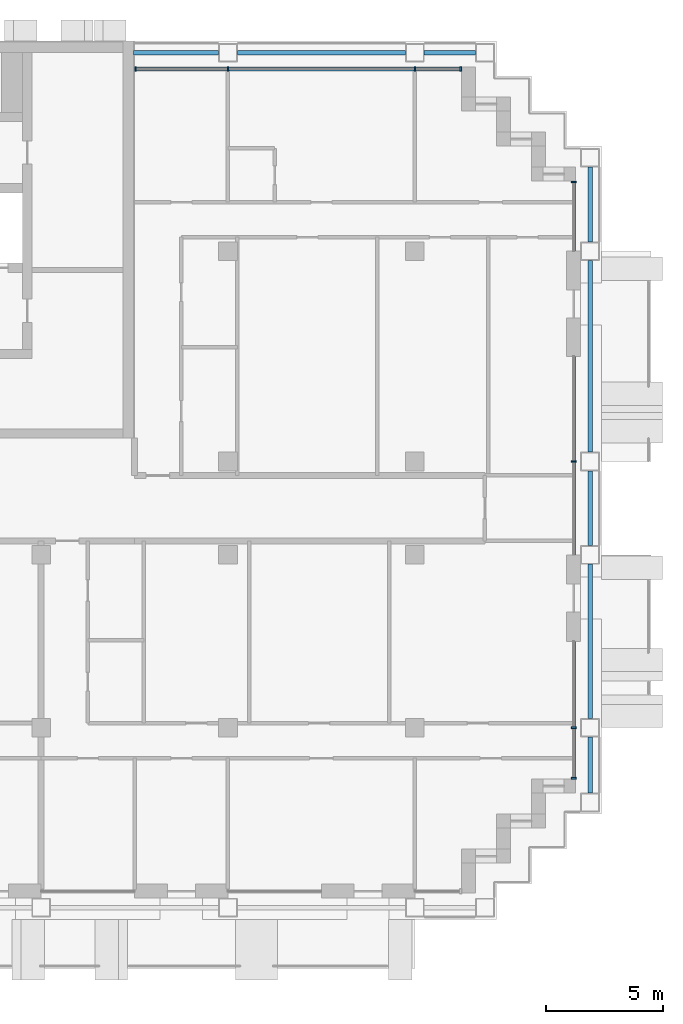
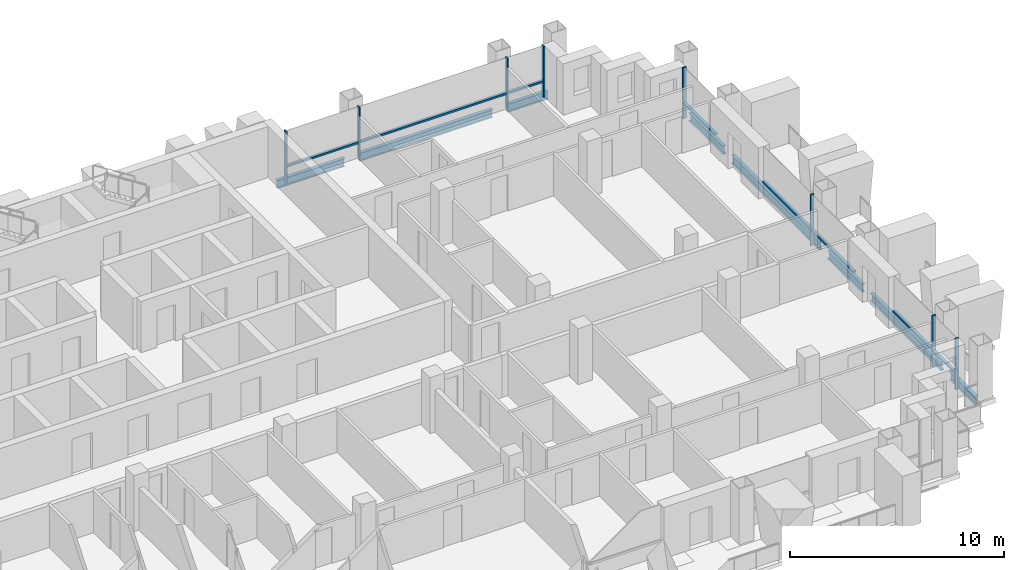
# One storey, part 5 of 16: 16 members, 8 beams, 4 elements without a shape of their own.
"""IFC4 building model written with IfcOpenShell, lengths in metres."""

import ifcopenshell
import ifcopenshell.guid

model = None  # the IFC model being written
_history = None  # IfcOwnerHistory: only IFC2X3 demands one
_inside = {}  # id of a spatial element -> (the spatial element, [elements in it])
_under = {}  # id of a project, library or spatial element -> (it, [spatial elements below it])
_declared = {}  # id of a project -> (the project, [libraries it declares])
_typed = {}  # id of a type object -> (the type object, [elements of that type])
_made_of = {}  # id of a material, layer set ... -> (it, [elements and type objects made of it])


def new_model(schema):
    """Start an empty IFC model of exactly this schema.

    Asked for "IFC4X3", IfcOpenShell would pick the latest addendum, in which some entities
    have other attributes; the version numbers below select the first issue.
    IFC2X3 requires an IfcOwnerHistory on every rooted entity: one is made here for all.
    """
    global model, _history
    if schema == "IFC4X3":
        model = ifcopenshell.file(schema_version=(4, 3, 0, 0))
    else:
        model = ifcopenshell.file(schema=schema)
    _inside.clear()
    _under.clear()
    _declared.clear()
    _typed.clear()
    _made_of.clear()
    _history = None
    if model.schema == "IFC2X3":
        org = make("IfcOrganization", Name="unknown")
        user = make(
            "IfcPersonAndOrganization",
            ThePerson=make("IfcPerson", FamilyName="unknown"),
            TheOrganization=org,
        )
        app = make(
            "IfcApplication",
            ApplicationDeveloper=org,
            Version="unknown",
            ApplicationFullName="unknown",
            ApplicationIdentifier="unknown",
        )
        _history = make(
            "IfcOwnerHistory",
            OwningUser=user,
            OwningApplication=app,
            ChangeAction="ADDED",
            CreationDate=0,
        )
    return model


def make(cls, **values):
    """One entity of the class cls with the attributes given. An attribute that is None is left unset."""
    return model.create_entity(
        cls, **{name: value for name, value in values.items() if value is not None}
    )


def rooted(cls, **values):
    """An entity with a GlobalId (a new one), such as an element, a storey or a relation."""
    return make(cls, GlobalId=ifcopenshell.guid.new(), OwnerHistory=_history, **values)


def si_unit(unit_type, name, prefix=None):
    """IfcSIUnit, for example si_unit("LENGTHUNIT", "METRE", prefix="MILLI")."""
    return make("IfcSIUnit", UnitType=unit_type, Prefix=prefix, Name=name)


def assignment(units):
    """IfcUnitAssignment: the units of a project."""
    return None if units is None else make("IfcUnitAssignment", Units=units)


def point(xyz):
    """IfcCartesianPoint."""
    return None if xyz is None else make("IfcCartesianPoint", Coordinates=xyz)


def direction(xyz):
    """IfcDirection."""
    return None if xyz is None else make("IfcDirection", DirectionRatios=xyz)


def frame(location, z_axis=None, x_axis=None):
    """IfcAxis2Placement3D, a coordinate frame: its origin and axes. An axis left out is left unset."""
    return make(
        "IfcAxis2Placement3D",
        Location=point(location),
        Axis=direction(z_axis),
        RefDirection=direction(x_axis),
    )


def frame_2d(location, x_axis=None):
    """IfcAxis2Placement2D, a coordinate frame in the plane: its origin and x axis."""
    return make(
        "IfcAxis2Placement2D", Location=point(location), RefDirection=direction(x_axis)
    )


def origin():
    """The frame at (0, 0, 0) with its axes left unset."""
    return frame((0.0, 0.0, 0.0))


def origin_2d():
    """The frame at (0, 0) in the plane with its x axis left unset."""
    return frame_2d((0.0, 0.0))


def place(relative_to, where):
    """IfcLocalPlacement: puts the frame where relative to a parent placement (None: the world)."""
    return make(
        "IfcLocalPlacement", PlacementRelTo=relative_to, RelativePlacement=where
    )


def context(
    kind, dimensions, precision=None, world=None, true_north=None, identifier=None
):
    """IfcGeometricRepresentationContext, for example the 3D "Model" context."""
    return make(
        "IfcGeometricRepresentationContext",
        ContextIdentifier=identifier,
        ContextType=kind,
        CoordinateSpaceDimension=dimensions,
        Precision=precision,
        WorldCoordinateSystem=world,
        TrueNorth=true_north,
    )


def subcontext(parent, identifier, kind, view, scale=None):
    """IfcGeometricRepresentationSubContext, for example "Body" below "Model"."""
    return make(
        "IfcGeometricRepresentationSubContext",
        ContextIdentifier=identifier,
        ContextType=kind,
        ParentContext=parent,
        TargetScale=scale,
        TargetView=view,
    )


def project(units=None, contexts=None):
    """IfcProject with its units and contexts."""
    return rooted(
        "IfcProject",
        Name="project",
        RepresentationContexts=contexts,
        UnitsInContext=assignment(units),
    )


def spatial(cls, under=None, at=None, **own):
    """A site, building, storey or space (cls), placed at a placement, below another one or the project."""
    s = rooted(cls, ObjectPlacement=at, **own)
    if under is not None:
        _under.setdefault(under.id(), (under, []))[1].append(s)
    return s


def profile(cls, at=None, kind="AREA", **sizes):
    """A parametric profile (cls). Its sizes go by their IFC names, for example OverallWidth=200.0."""
    return make(cls, ProfileType=kind, Position=at, **sizes)


def rectangle(**sizes):
    """IfcRectangleProfileDef."""
    return profile("IfcRectangleProfileDef", **sizes)


def i_section(**sizes):
    """IfcIShapeProfileDef."""
    return profile("IfcIShapeProfileDef", **sizes)


def extrude(swept, where, along, depth):
    """IfcExtrudedAreaSolid: the profile swept, set in the frame where, extruded along a direction by depth."""
    return make(
        "IfcExtrudedAreaSolid",
        SweptArea=swept,
        Position=where,
        ExtrudedDirection=direction(along),
        Depth=depth,
    )


def shape(context_of_items, identifier, shape_type, items):
    """IfcShapeRepresentation: the items that make up one representation, for example the "Body"."""
    return make(
        "IfcShapeRepresentation",
        ContextOfItems=context_of_items,
        RepresentationIdentifier=identifier,
        RepresentationType=shape_type,
        Items=items,
    )


def material(Name=None, Category=None):
    """IfcMaterial."""
    return make("IfcMaterial", Name=Name, Category=Category)


def material_profile(
    of_material, cross_section, Name=None, Category=None, Priority=None
):
    """IfcMaterialProfile: a cross section and its material."""
    return make(
        "IfcMaterialProfile",
        Name=Name,
        Material=of_material,
        Profile=cross_section,
        Priority=Priority,
        Category=Category,
    )


def profile_set(profiles, Name=None, composite=None):
    """IfcMaterialProfileSet."""
    return make(
        "IfcMaterialProfileSet",
        Name=Name,
        MaterialProfiles=profiles,
        CompositeProfile=composite,
    )


def made_of(thing, what):
    """Note that an element or type object is made of a material, layer set ...; save() writes the relation."""
    if what is not None:
        _made_of.setdefault(what.id(), (what, []))[1].append(thing)
    return thing


def type_object(cls, material=None, **own):
    """A type object (cls), such as IfcWallType, which elements share."""
    return made_of(rooted(cls, **own), material)


def element(
    cls,
    number,
    at=None,
    inside=None,
    cuts=None,
    type_object=None,
    material=None,
    context=None,
    identifier="Body",
    shape_type=None,
    held_by="IfcProductDefinitionShape",
    body=None,
    shapes=None,
    **own,
):
    """One element of the class cls, such as IfcWall. Its Tag is "e" and its number.

    at: its placement. inside: the storey or other place that contains it. cuts: it is an
    opening in that element (IfcRelVoidsElement). A single representation is given by context,
    identifier, shape_type and body (its items); several are given by shapes. held_by: the class
    of the entity that holds the representations. save() writes the other relations.
    """
    e = rooted(cls, Tag="e%d" % number, ObjectPlacement=at, **own)
    if body is not None:
        shapes = [shape(context, identifier, shape_type, body)]
    if shapes is not None:
        e.Representation = make(held_by, Representations=shapes)
    if inside is not None:
        _inside.setdefault(inside.id(), (inside, []))[1].append(e)
    if cuts is not None:
        rooted(
            "IfcRelVoidsElement", RelatingBuildingElement=cuts, RelatedOpeningElement=e
        )
    if type_object is not None:
        _typed.setdefault(type_object.id(), (type_object, []))[1].append(e)
    return made_of(e, material)


def aggregate(whole, parts):
    """IfcRelAggregates: a whole, such as a stair, and the parts it consists of."""
    return rooted("IfcRelAggregates", RelatingObject=whole, RelatedObjects=parts)


def save(model, path):
    """Write the relations noted so far, then the file.

    IfcRelAggregates (storeys below a building ...), IfcRelContainedInSpatialStructure (elements
    in a storey), IfcRelDefinesByType, IfcRelAssociatesMaterial and IfcRelDeclares: one each for
    every whole, place, type object, material and project.
    """
    for whole, parts in _under.values():
        aggregate(whole, parts)
    for where, things in _inside.values():
        rooted(
            "IfcRelContainedInSpatialStructure",
            RelatedElements=things,
            RelatingStructure=where,
        )
    for kind, things in _typed.values():
        rooted("IfcRelDefinesByType", RelatedObjects=things, RelatingType=kind)
    for what, things in _made_of.values():
        rooted("IfcRelAssociatesMaterial", RelatedObjects=things, RelatingMaterial=what)
    for by, libraries in _declared.values():
        rooted("IfcRelDeclares", RelatingContext=by, RelatedDefinitions=libraries)
    model.write(path)


model = new_model("IFC4")

# Units and contexts
model_context = context("Model", 3, precision=1e-05, world=origin(), true_north=direction((0.0, 1.0)))
body_context = subcontext(model_context, "Body", "Model", "MODEL_VIEW")
ifc_project = project(units=[si_unit("LENGTHUNIT", "METRE"), si_unit("AREAUNIT", "SQUARE_METRE"), si_unit("VOLUMEUNIT", "CUBIC_METRE"), si_unit("PLANEANGLEUNIT", "RADIAN"), si_unit("MASSUNIT", "GRAM", prefix="KILO")], contexts=[model_context])

# Site, building, storey
site_placement = place(None, origin())
site = spatial("IfcSite", under=ifc_project, at=site_placement, CompositionType="ELEMENT")
building_placement = place(site_placement, origin())
building = spatial("IfcBuilding", under=site, at=building_placement, Name="Vidyagriha Tower", CompositionType="ELEMENT")
storey_placement = place(building_placement, frame((0.0, 0.0, 135.800048828125)))
storey = spatial("IfcBuildingStorey", under=building, at=storey_placement, Name="L35", CompositionType="ELEMENT", Elevation=135.800048828125)

# Beams
ifc_material_1 = material(Name="Steel ASTM A992 Grade 50", Category="steel")
ifc_material_profile_1 = material_profile(ifc_material_1, i_section(OverallWidth=0.19189453125, OverallDepth=0.46240234375, WebThickness=0.010498046875, FlangeThickness=0.017578125, at=origin_2d()), Name="W18X60")
ifc_profile_set_1 = profile_set([ifc_material_profile_1], Name="Steel ASTM A992 Grade 50")
beam_type = type_object("IfcBeamType", Name="Edge beam W18X60", PredefinedType="SPANDREL", material=ifc_profile_set_1)
beam_1_placement = place(storey_placement, frame((33.5, -12.199951171875, -0.51123046875), z_axis=(0.0, 1.0, 0.0), x_axis=(-1.0, 0.0, 0.0)))
element("IfcBeam", 1, at=beam_1_placement, inside=storey, type_object=beam_type, Name="st-beam-L35-E14", PredefinedType="SPANDREL", context=body_context, shape_type="SweptSolid", body=[
    extrude(i_section(OverallWidth=0.19189453125, OverallDepth=0.46240234375, WebThickness=0.010498046875, FlangeThickness=0.017578125, at=origin_2d()), origin(), (0.0, 0.0, 1.0), 2.39990234375),
])
beam_2_placement = place(storey_placement, frame((33.5, -9.0, -0.51123046875), z_axis=(0.0, 1.0, 0.0), x_axis=(-1.0, 0.0, 0.0)))
element("IfcBeam", 2, at=beam_2_placement, inside=storey, type_object=beam_type, Name="st-beam-L35-E15", PredefinedType="SPANDREL", context=body_context, shape_type="SweptSolid", body=[
    extrude(i_section(OverallWidth=0.19189453125, OverallDepth=0.46240234375, WebThickness=0.010498046875, FlangeThickness=0.017578125, at=origin_2d()), origin(), (0.0, 0.0, 1.0), 6.60009765625),
])
beam_3_placement = place(storey_placement, frame((33.5, -1.60009765625, -0.51123046875), z_axis=(0.0, 1.0, 0.0), x_axis=(-1.0, 0.0, 0.0)))
element("IfcBeam", 3, at=beam_3_placement, inside=storey, type_object=beam_type, Name="st-beam-L35-E16", PredefinedType="SPANDREL", context=body_context, shape_type="SweptSolid", body=[
    extrude(i_section(OverallWidth=0.19189453125, OverallDepth=0.46240234375, WebThickness=0.010498046875, FlangeThickness=0.017578125, at=origin_2d()), origin(), (0.0, 0.0, 1.0), 3.2001953125),
])
beam_4_placement = place(storey_placement, frame((33.5, 2.39990234375, -0.51123046875), z_axis=(0.0, 1.0, 0.0), x_axis=(-1.0, 0.0, 0.0)))
element("IfcBeam", 4, at=beam_4_placement, inside=storey, type_object=beam_type, Name="st-beam-L35-E17", PredefinedType="SPANDREL", context=body_context, shape_type="SweptSolid", body=[
    extrude(i_section(OverallWidth=0.19189453125, OverallDepth=0.46240234375, WebThickness=0.010498046875, FlangeThickness=0.017578125, at=origin_2d()), origin(), (0.0, 0.0, 1.0), 8.2001953125),
])
beam_5_placement = place(storey_placement, frame((33.5, 11.39990234375, -0.51123046875), z_axis=(0.0, 1.0, 0.0), x_axis=(-1.0, 0.0, 0.0)))
element("IfcBeam", 5, at=beam_5_placement, inside=storey, type_object=beam_type, Name="st-beam-L35-E18", PredefinedType="SPANDREL", context=body_context, shape_type="SweptSolid", body=[
    extrude(i_section(OverallWidth=0.19189453125, OverallDepth=0.46240234375, WebThickness=0.010498046875, FlangeThickness=0.017578125, at=origin_2d()), origin(), (0.0, 0.0, 1.0), 3.2001953125),
])
beam_6_placement = place(storey_placement, frame((18.39990234375, 19.5, -0.51123046875), z_axis=(1.0, 0.0, 0.0), x_axis=(0.0, 1.0, 0.0)))
element("IfcBeam", 6, at=beam_6_placement, inside=storey, type_object=beam_type, Name="st-beam-L35-NE20", PredefinedType="SPANDREL", context=body_context, shape_type="SweptSolid", body=[
    extrude(i_section(OverallWidth=0.19189453125, OverallDepth=0.46240234375, WebThickness=0.010498046875, FlangeThickness=0.017578125, at=origin_2d()), origin(), (0.0, 0.0, 1.0), 7.2001953125),
])
beam_7_placement = place(storey_placement, frame((26.39990234375, 19.5, -0.51123046875), z_axis=(1.0, 0.0, 0.0), x_axis=(0.0, 1.0, 0.0)))
element("IfcBeam", 7, at=beam_7_placement, inside=storey, type_object=beam_type, Name="st-beam-L35-NE21", PredefinedType="SPANDREL", context=body_context, shape_type="SweptSolid", body=[
    extrude(i_section(OverallWidth=0.19189453125, OverallDepth=0.46240234375, WebThickness=0.010498046875, FlangeThickness=0.017578125, at=origin_2d()), origin(), (0.0, 0.0, 1.0), 2.2001953125),
])
beam_8_placement = place(storey_placement, frame((13.949951171875, 19.5, -0.51123046875), z_axis=(1.0, 0.0, 0.0), x_axis=(0.0, 1.0, 0.0)))
element("IfcBeam", 8, at=beam_8_placement, inside=storey, type_object=beam_type, Name="st-beam-L35-NC23", PredefinedType="SPANDREL", context=body_context, shape_type="SweptSolid", body=[
    extrude(i_section(OverallWidth=0.19189453125, OverallDepth=0.46240234375, WebThickness=0.010498046875, FlangeThickness=0.017578125, at=origin_2d()), origin(), (0.0, 0.0, 1.0), 3.650146484375),
])

# Curtain wall, members
ifc_material_2 = material(Name="Aluminium and glass curtain wall", Category="aluminium")
curtain_wall_type = type_object("IfcCurtainWallType", Name="Dwelling skin unitised curtain wall", PredefinedType="USERDEFINED", material=ifc_material_2)
curtain_wall_1_placement = place(storey_placement, origin())
curtain_wall_1 = element("IfcCurtainWall", 9, at=curtain_wall_1_placement, inside=storey, type_object=curtain_wall_type, Name="CW1 dwelling skin", ObjectType="UNITISED", PredefinedType="USERDEFINED")
ifc_material_3 = material(Name="Aluminium black anodised", Category="aluminium")
ifc_material_profile_2 = material_profile(ifc_material_3, rectangle(XDim=0.199951171875, YDim=0.070068359375, at=origin_2d()), Name="Mullion 70x200 black aluminium")
ifc_profile_set_2 = profile_set([ifc_material_profile_2], Name="Aluminium black anodised")
member_type_1 = type_object("IfcMemberType", Name="Mullion 70x200 black aluminium", PredefinedType="MULLION", material=ifc_profile_set_2)
member_1_placement = place(storey_placement, frame((27.965087890625, 18.800048828125, 0.0), z_axis=(0.0, 0.0, 1.0), x_axis=(0.0, -1.0, 0.0)))
member_1 = element("IfcMember", 10, at=member_1_placement, type_object=member_type_1, Name="CW1 mullion 1", PredefinedType="MULLION", context=body_context, shape_type="SweptSolid", body=[
    extrude(rectangle(XDim=0.199951171875, YDim=0.070068359375, at=origin_2d()), origin(), (0.0, 0.0, 1.0), 2.919921875),
])
member_2_placement = place(storey_placement, frame((26.0, 18.800048828125, 0.0), z_axis=(0.0, 0.0, 1.0), x_axis=(0.0, -1.0, 0.0)))
member_2 = element("IfcMember", 11, at=member_2_placement, type_object=member_type_1, Name="CW1 mullion 2", PredefinedType="MULLION", context=body_context, shape_type="SweptSolid", body=[
    extrude(rectangle(XDim=0.199951171875, YDim=0.070068359375, at=origin_2d()), origin(), (0.0, 0.0, 1.0), 2.919921875),
])
member_3_placement = place(storey_placement, frame((18.0, 18.800048828125, 0.0), z_axis=(0.0, 0.0, 1.0), x_axis=(0.0, -1.0, 0.0)))
member_3 = element("IfcMember", 12, at=member_3_placement, type_object=member_type_1, Name="CW1 mullion 3", PredefinedType="MULLION", context=body_context, shape_type="SweptSolid", body=[
    extrude(rectangle(XDim=0.199951171875, YDim=0.070068359375, at=origin_2d()), origin(), (0.0, 0.0, 1.0), 2.919921875),
])
member_4_placement = place(storey_placement, frame((14.034912109375, 18.800048828125, 0.0), z_axis=(0.0, 0.0, 1.0), x_axis=(0.0, -1.0, 0.0)))
member_4 = element("IfcMember", 13, at=member_4_placement, type_object=member_type_1, Name="CW1 mullion 4", PredefinedType="MULLION", context=body_context, shape_type="SweptSolid", body=[
    extrude(rectangle(XDim=0.199951171875, YDim=0.070068359375, at=origin_2d()), origin(), (0.0, 0.0, 1.0), 2.919921875),
])

curtain_wall_2_placement = place(storey_placement, origin())
curtain_wall_2 = element("IfcCurtainWall", 14, at=curtain_wall_2_placement, inside=storey, type_object=curtain_wall_type, Name="CW1 dwelling skin", ObjectType="UNITISED", PredefinedType="USERDEFINED")
member_5_placement = place(storey_placement, frame((32.800048828125, -11.56494140625, 0.0), z_axis=(0.0, 0.0, 1.0), x_axis=(-1.0, 0.0, 0.0)))
member_5 = element("IfcMember", 15, at=member_5_placement, type_object=member_type_1, Name="CW1 mullion 1", PredefinedType="MULLION", context=body_context, shape_type="SweptSolid", body=[
    extrude(rectangle(XDim=0.199951171875, YDim=0.070068359375, at=origin_2d()), origin(), (0.0, 0.0, 1.0), 2.919921875),
])
member_6_placement = place(storey_placement, frame((32.800048828125, -9.39990234375, 0.0), z_axis=(0.0, 0.0, 1.0), x_axis=(-1.0, 0.0, 0.0)))
member_6 = element("IfcMember", 16, at=member_6_placement, type_object=member_type_1, Name="CW1 mullion 2", PredefinedType="MULLION", context=body_context, shape_type="SweptSolid", body=[
    extrude(rectangle(XDim=0.199951171875, YDim=0.070068359375, at=origin_2d()), origin(), (0.0, 0.0, 1.0), 2.919921875),
])

# Curtain wall, member
curtain_wall_3_placement = place(storey_placement, origin())
curtain_wall_3 = element("IfcCurtainWall", 17, at=curtain_wall_3_placement, inside=storey, type_object=curtain_wall_type, Name="CW1 dwelling skin", ObjectType="UNITISED", PredefinedType="USERDEFINED")
member_7_placement = place(storey_placement, frame((32.800048828125, 2.0, 0.0), z_axis=(0.0, 0.0, 1.0), x_axis=(-1.0, 0.0, 0.0)))
member_7 = element("IfcMember", 18, at=member_7_placement, type_object=member_type_1, Name="CW1 mullion 2", PredefinedType="MULLION", context=body_context, shape_type="SweptSolid", body=[
    extrude(rectangle(XDim=0.199951171875, YDim=0.070068359375, at=origin_2d()), origin(), (0.0, 0.0, 1.0), 2.919921875),
])

curtain_wall_4_placement = place(storey_placement, origin())
curtain_wall_4 = element("IfcCurtainWall", 19, at=curtain_wall_4_placement, inside=storey, type_object=curtain_wall_type, Name="CW1 dwelling skin", ObjectType="UNITISED", PredefinedType="USERDEFINED")
member_8_placement = place(storey_placement, frame((32.800048828125, 13.965087890625, 0.0), z_axis=(0.0, 0.0, 1.0), x_axis=(-1.0, 0.0, 0.0)))
member_8 = element("IfcMember", 20, at=member_8_placement, type_object=member_type_1, Name="CW1 mullion 2", PredefinedType="MULLION", context=body_context, shape_type="SweptSolid", body=[
    extrude(rectangle(XDim=0.199951171875, YDim=0.070068359375, at=origin_2d()), origin(), (0.0, 0.0, 1.0), 2.919921875),
])

# Member
ifc_material_4 = material(Name="Aluminium black anodised", Category="aluminium")
ifc_material_profile_3 = material_profile(ifc_material_4, rectangle(XDim=0.159912109375, YDim=0.10009765625, at=origin_2d()), Name="Transom 100x160 black aluminium")
ifc_profile_set_3 = profile_set([ifc_material_profile_3], Name="Aluminium black anodised")
member_type_2 = type_object("IfcMemberType", Name="Transom 100x160 black aluminium", PredefinedType="USERDEFINED", material=ifc_profile_set_3)
member_9_placement = place(storey_placement, frame((27.929931640625, 18.800048828125, 0.89990234375), z_axis=(-1.0, 0.0, 0.0), x_axis=(0.0, -1.0, 0.0)))
member_9 = element("IfcMember", 21, at=member_9_placement, type_object=member_type_2, Name="CW1 transom 1.1", ObjectType="TRANSOM", PredefinedType="USERDEFINED", context=body_context, shape_type="SweptSolid", body=[
    extrude(rectangle(XDim=0.159912109375, YDim=0.10009765625, at=origin_2d()), origin(), (0.0, 0.0, 1.0), 1.89501953125),
])

member_10_placement = place(storey_placement, frame((25.965087890625, 18.800048828125, 0.89990234375), z_axis=(-1.0, 0.0, 0.0), x_axis=(0.0, -1.0, 0.0)))
member_10 = element("IfcMember", 22, at=member_10_placement, type_object=member_type_2, Name="CW1 transom 2.1", ObjectType="TRANSOM", PredefinedType="USERDEFINED", context=body_context, shape_type="SweptSolid", body=[
    extrude(rectangle(XDim=0.159912109375, YDim=0.10009765625, at=origin_2d()), origin(), (0.0, 0.0, 1.0), 7.93017578125),
])

member_11_placement = place(storey_placement, frame((17.965087890625, 18.800048828125, 0.89990234375), z_axis=(-1.0, 0.0, 0.0), x_axis=(0.0, -1.0, 0.0)))
member_11 = element("IfcMember", 23, at=member_11_placement, type_object=member_type_2, Name="CW1 transom 3.1", ObjectType="TRANSOM", PredefinedType="USERDEFINED", context=body_context, shape_type="SweptSolid", body=[
    extrude(rectangle(XDim=0.159912109375, YDim=0.10009765625, at=origin_2d()), origin(), (0.0, 0.0, 1.0), 3.89501953125),
])

aggregate(curtain_wall_1, [member_1, member_2, member_3, member_4, member_9, member_10, member_11])

member_12_placement = place(storey_placement, frame((32.800048828125, -11.530029296875, 0.89990234375), z_axis=(0.0, 1.0, 0.0), x_axis=(-1.0, 0.0, 0.0)))
member_12 = element("IfcMember", 24, at=member_12_placement, type_object=member_type_2, Name="CW1 transom 1.1", ObjectType="TRANSOM", PredefinedType="USERDEFINED", context=body_context, shape_type="SweptSolid", body=[
    extrude(rectangle(XDim=0.159912109375, YDim=0.10009765625, at=origin_2d()), origin(), (0.0, 0.0, 1.0), 2.094970703125),
])

member_13_placement = place(storey_placement, frame((32.800048828125, -9.364990234375, 0.89990234375), z_axis=(0.0, 1.0, 0.0), x_axis=(-1.0, 0.0, 0.0)))
member_13 = element("IfcMember", 25, at=member_13_placement, type_object=member_type_2, Name="CW1 transom 2.1", ObjectType="TRANSOM", PredefinedType="USERDEFINED", context=body_context, shape_type="SweptSolid", body=[
    extrude(rectangle(XDim=0.159912109375, YDim=0.10009765625, at=origin_2d()), origin(), (0.0, 0.0, 1.0), 3.6650390625),
])

aggregate(curtain_wall_2, [member_5, member_6, member_12, member_13])

member_14_placement = place(storey_placement, frame((32.800048828125, -2.0, 0.89990234375), z_axis=(0.0, 1.0, 0.0), x_axis=(-1.0, 0.0, 0.0)))
member_14 = element("IfcMember", 26, at=member_14_placement, type_object=member_type_2, Name="CW1 transom 1.1", ObjectType="TRANSOM", PredefinedType="USERDEFINED", context=body_context, shape_type="SweptSolid", body=[
    extrude(rectangle(XDim=0.159912109375, YDim=0.10009765625, at=origin_2d()), origin(), (0.0, 0.0, 1.0), 3.965087890625),
])

member_15_placement = place(storey_placement, frame((32.800048828125, 2.034912109375, 0.89990234375), z_axis=(0.0, 1.0, 0.0), x_axis=(-1.0, 0.0, 0.0)))
member_15 = element("IfcMember", 27, at=member_15_placement, type_object=member_type_2, Name="CW1 transom 2.1", ObjectType="TRANSOM", PredefinedType="USERDEFINED", context=body_context, shape_type="SweptSolid", body=[
    extrude(rectangle(XDim=0.159912109375, YDim=0.10009765625, at=origin_2d()), origin(), (0.0, 0.0, 1.0), 4.465087890625),
])

aggregate(curtain_wall_3, [member_7, member_14, member_15])

member_16_placement = place(storey_placement, frame((32.800048828125, 11.0, 0.89990234375), z_axis=(0.0, 1.0, 0.0), x_axis=(-1.0, 0.0, 0.0)))
member_16 = element("IfcMember", 28, at=member_16_placement, type_object=member_type_2, Name="CW1 transom 1.1", ObjectType="TRANSOM", PredefinedType="USERDEFINED", context=body_context, shape_type="SweptSolid", body=[
    extrude(rectangle(XDim=0.159912109375, YDim=0.10009765625, at=origin_2d()), origin(), (0.0, 0.0, 1.0), 2.929931640625),
])

aggregate(curtain_wall_4, [member_8, member_16])

save(model, "model.ifc")
